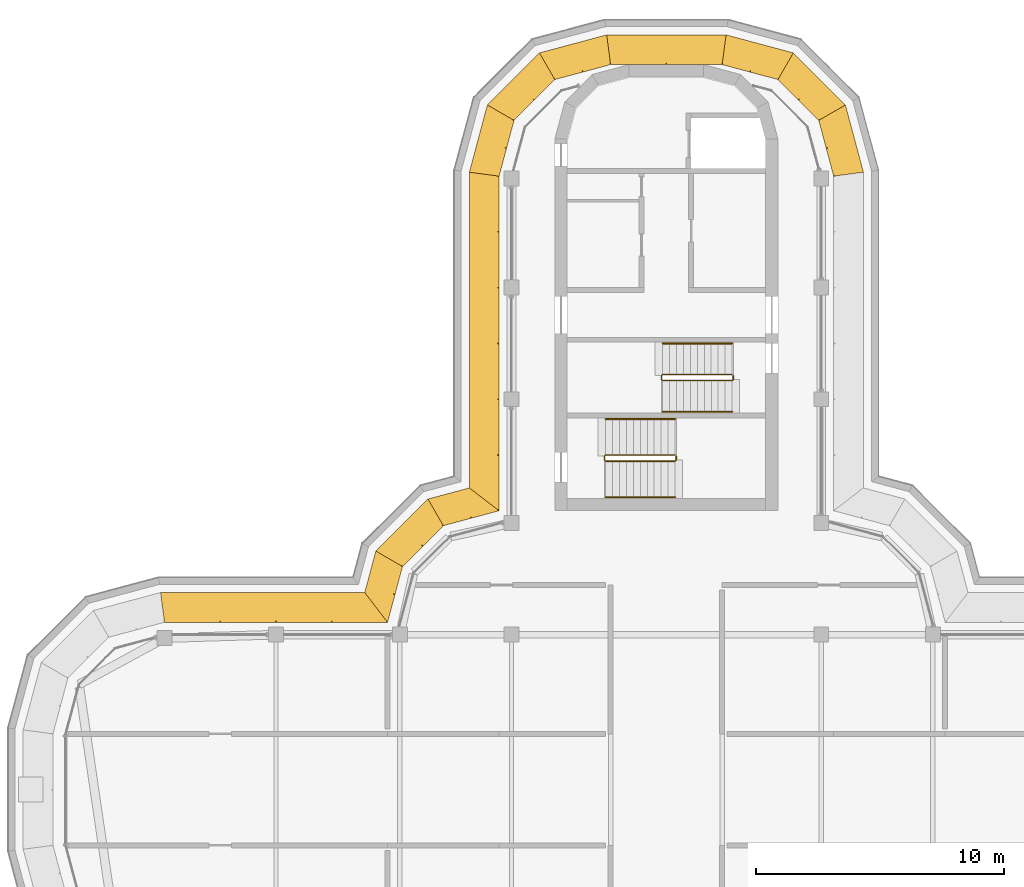
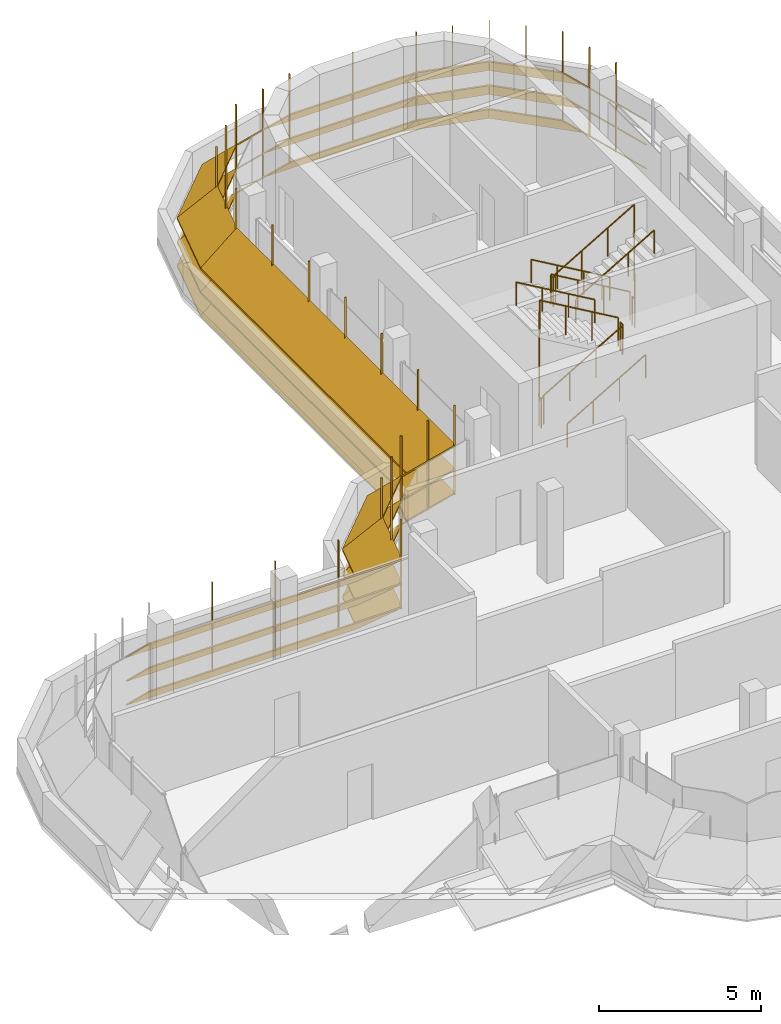
# One storey, part 18 of 19: 6 railings, 6 shading devices.
"""IFC4 building model written with IfcOpenShell, lengths in metres."""

from ifc_helpers import new_model, si_unit, direction, frame, origin, origin_2d, place, context, subcontext, project, spatial, polyline, circle, outline, extrude, faceted_brep, source, transform, mapped, material, type_object, element, save


model = new_model("IFC4")

# Units and contexts
model_context = context("Model", 3, precision=1e-05, world=origin(), true_north=direction((0.0, 1.0)))
body_context = subcontext(model_context, "Body", "Model", "MODEL_VIEW")
ifc_project = project(units=[si_unit("LENGTHUNIT", "METRE"), si_unit("AREAUNIT", "SQUARE_METRE"), si_unit("VOLUMEUNIT", "CUBIC_METRE"), si_unit("PLANEANGLEUNIT", "RADIAN"), si_unit("MASSUNIT", "GRAM", prefix="KILO")], contexts=[model_context])

# Site, building, storey
site_placement = place(None, origin())
site = spatial("IfcSite", under=ifc_project, at=site_placement, CompositionType="ELEMENT")
building_placement = place(site_placement, origin())
building = spatial("IfcBuilding", under=site, at=building_placement, Name="Zarbagh Exchange Tower", CompositionType="ELEMENT")
storey_placement = place(building_placement, frame((0.0, 0.0, 295.199951171875)))
storey = spatial("IfcBuildingStorey", under=building, at=storey_placement, Name="L72", CompositionType="ELEMENT", Elevation=295.199951171875)

# Railings
ifc_material_1 = material(Name="Stainless steel", Category="steel")
railing_type_1 = type_object("IfcRailingType", Name="Stair guard 1100 mm", PredefinedType="GUARDRAIL", material=ifc_material_1)
railing_1_placement = place(storey_placement, frame((2.64990234375, 16.75, 0.16357421875)))
element("IfcRailing", 1, at=railing_1_placement, inside=storey, type_object=railing_type_1, Name="ST1 stair guard 1", PredefinedType="GUARDRAIL", context=body_context, shape_type="SweptSolid", body=[
    extrude(circle(Radius=0.02392578125, at=origin_2d()), frame((0.0, 0.0, 1.076171875), z_axis=(-0.863341702679, 0.0, 0.504619762213), x_axis=(0.0, -1.0, 0.0)), (0.0, 0.0, 1.0), 3.242919921875),
    extrude(circle(Radius=0.02392578125, at=origin_2d()), frame((-2.7998046875, 0.0, 2.71240234375), z_axis=(-0.707106781187, -0.707106781187, 0.0), x_axis=(0.707106781187, -0.707106781187, 0.0)), (0.0, 0.0, 1.0), 0.07080078125),
    extrude(circle(Radius=0.02392578125, at=origin_2d()), frame((-2.849853515625, -0.050048828125, 2.71240234375), z_axis=(0.0, -1.0, 0.0), x_axis=(1.0, 0.0, 0.0)), (0.0, 0.0, 1.0), 0.14990234375),
    extrude(circle(Radius=0.02392578125, at=origin_2d()), frame((-2.849853515625, -0.199951171875, 2.71240234375), z_axis=(0.280808744504, -0.280808744504, 0.917765164963), x_axis=(0.707106781187, 0.707106781187, 0.0)), (0.0, 0.0, 1.0), 0.17822265625),
    extrude(circle(Radius=0.02392578125, at=origin_2d()), frame((-2.7998046875, -0.25, 2.8759765625), z_axis=(0.863341702679, 0.0, 0.504619762213), x_axis=(0.0, 1.0, 0.0)), (0.0, 0.0, 1.0), 3.242919921875),
    extrude(circle(Radius=0.02392578125, at=origin_2d()), frame((0.0, -0.25, 4.5126953125), z_axis=(0.013899389096, 0.013899389096, -0.999806788317), x_axis=(-0.707106781187, 0.707106781187, 0.0)), (0.0, 0.0, 1.0), 3.600830078125),
    extrude(circle(Radius=0.02392578125, at=origin_2d()), frame((0.050048828125, -0.199951171875, 0.91259765625), z_axis=(0.0, 1.0, 0.0), x_axis=(-1.0, 0.0, 0.0)), (0.0, 0.0, 1.0), 0.14990234375),
    extrude(circle(Radius=0.02099609375, at=origin_2d()), origin(), (0.0, 0.0, 1.0), 1.052001953125),
    extrude(circle(Radius=0.02099609375, at=origin_2d()), frame((-0.933349609375, 0.0, 0.54541015625)), (0.0, 0.0, 1.0), 1.052001953125),
    extrude(circle(Radius=0.02099609375, at=origin_2d()), frame((-1.866455078125, 0.0, 1.091064453125)), (0.0, 0.0, 1.0), 1.052001953125),
    extrude(circle(Radius=0.02099609375, at=origin_2d()), frame((-2.7998046875, 0.0, 1.636474609375)), (0.0, 0.0, 1.0), 1.052001953125),
    extrude(circle(Radius=0.02099609375, at=origin_2d()), frame((-2.849853515625, -0.050048828125, 1.636474609375)), (0.0, 0.0, 1.0), 1.052001953125),
    extrude(circle(Radius=0.02099609375, at=origin_2d()), frame((-2.849853515625, -0.199951171875, 1.636474609375)), (0.0, 0.0, 1.0), 1.052001953125),
    extrude(circle(Radius=0.02099609375, at=origin_2d()), frame((-2.7998046875, -0.25, 1.800048828125)), (0.0, 0.0, 1.0), 1.052001953125),
    extrude(circle(Radius=0.02099609375, at=origin_2d()), frame((-1.866455078125, -0.25, 2.345458984375)), (0.0, 0.0, 1.0), 1.052001953125),
    extrude(circle(Radius=0.02099609375, at=origin_2d()), frame((-0.933349609375, -0.25, 2.89111328125)), (0.0, 0.0, 1.0), 1.052001953125),
    extrude(circle(Radius=0.02099609375, at=origin_2d()), frame((0.0, -0.25, 3.4365234375)), (0.0, 0.0, 1.0), 1.052001953125),
    extrude(circle(Radius=0.02099609375, at=origin_2d()), frame((0.012451171875, -0.237548828125, 2.53662109375)), (0.0, 0.0, 1.0), 1.052001953125),
    extrude(circle(Radius=0.02099609375, at=origin_2d()), frame((0.02490234375, -0.22509765625, 1.636474609375)), (0.0, 0.0, 1.0), 1.052001953125),
    extrude(circle(Radius=0.02099609375, at=origin_2d()), frame((0.03759765625, -0.21240234375, 0.736328125)), (0.0, 0.0, 1.0), 1.052001953125),
    extrude(circle(Radius=0.02099609375, at=origin_2d()), frame((0.050048828125, -0.199951171875, -0.16357421875)), (0.0, 0.0, 1.0), 1.052001953125),
    extrude(circle(Radius=0.02099609375, at=origin_2d()), frame((0.050048828125, -0.050048828125, -0.16357421875)), (0.0, 0.0, 1.0), 1.052001953125),
])
railing_2_placement = place(storey_placement, frame((0.35009765625, 13.5, 1.963623046875)))
element("IfcRailing", 2, at=railing_2_placement, inside=storey, type_object=railing_type_1, Name="ST2 stair guard 1", PredefinedType="GUARDRAIL", context=body_context, shape_type="SweptSolid", body=[
    extrude(circle(Radius=0.02392578125, at=origin_2d()), frame((0.0, 0.0, 1.076171875), z_axis=(-0.863360870873, 0.0, 0.504586966384), x_axis=(0.0, -1.0, 0.0)), (0.0, 0.0, 1.0), 3.2431640625),
    extrude(circle(Radius=0.02392578125, at=origin_2d()), frame((-2.800048828125, 0.0, 2.71240234375), z_axis=(-0.013899389096, -0.013899389096, -0.999806788317), x_axis=(0.707106781187, -0.707106781187, 0.0)), (0.0, 0.0, 1.0), 3.600830078125),
    extrude(circle(Radius=0.02392578125, at=origin_2d()), frame((-2.85009765625, -0.050048828125, -0.8876953125), z_axis=(0.0, -1.0, 0.0), x_axis=(1.0, 0.0, 0.0)), (0.0, 0.0, 1.0), 0.14990234375),
    extrude(circle(Radius=0.02392578125, at=origin_2d()), frame((-2.85009765625, -0.199951171875, -0.8876953125), z_axis=(0.280808744504, -0.280808744504, 0.917765164963), x_axis=(0.707106781187, 0.707106781187, 0.0)), (0.0, 0.0, 1.0), 0.17822265625),
    extrude(circle(Radius=0.02392578125, at=origin_2d()), frame((-2.800048828125, -0.25, -0.72412109375), z_axis=(0.863360870873, 0.0, 0.504586966384), x_axis=(0.0, 1.0, 0.0)), (0.0, 0.0, 1.0), 3.2431640625),
    extrude(circle(Radius=0.02392578125, at=origin_2d()), frame((0.0, -0.25, 0.91259765625), z_axis=(0.705375805398, 0.708833529934, 0.0), x_axis=(-0.708833529934, 0.705375805398, 0.0)), (0.0, 0.0, 1.0), 0.070556640625),
    extrude(circle(Radius=0.02392578125, at=origin_2d()), frame((0.0498046875, -0.199951171875, 0.91259765625), z_axis=(0.0, 1.0, 0.0), x_axis=(-1.0, 0.0, 0.0)), (0.0, 0.0, 1.0), 0.14990234375),
    extrude(circle(Radius=0.02099609375, at=origin_2d()), origin(), (0.0, 0.0, 1.0), 1.052001953125),
    extrude(circle(Radius=0.02099609375, at=origin_2d()), frame((-0.933349609375, 0.0, 0.54541015625)), (0.0, 0.0, 1.0), 1.052001953125),
    extrude(circle(Radius=0.02099609375, at=origin_2d()), frame((-1.86669921875, 0.0, 1.091064453125)), (0.0, 0.0, 1.0), 1.052001953125),
    extrude(circle(Radius=0.02099609375, at=origin_2d()), frame((-2.800048828125, 0.0, 1.636474609375)), (0.0, 0.0, 1.0), 1.052001953125),
    extrude(circle(Radius=0.02099609375, at=origin_2d()), frame((-2.8125, -0.012451171875, 0.736328125)), (0.0, 0.0, 1.0), 1.052001953125),
    extrude(circle(Radius=0.02099609375, at=origin_2d()), frame((-2.8251953125, -0.02490234375, -0.16357421875)), (0.0, 0.0, 1.0), 1.052001953125),
    extrude(circle(Radius=0.02099609375, at=origin_2d()), frame((-2.837646484375, -0.03759765625, -1.0634765625)), (0.0, 0.0, 1.0), 1.052001953125),
    extrude(circle(Radius=0.02099609375, at=origin_2d()), frame((-2.85009765625, -0.050048828125, -1.963623046875)), (0.0, 0.0, 1.0), 1.052001953125),
    extrude(circle(Radius=0.02099609375, at=origin_2d()), frame((-2.85009765625, -0.199951171875, -1.963623046875)), (0.0, 0.0, 1.0), 1.052001953125),
    extrude(circle(Radius=0.02099609375, at=origin_2d()), frame((-2.800048828125, -0.25, -1.800048828125)), (0.0, 0.0, 1.0), 1.052001953125),
    extrude(circle(Radius=0.02099609375, at=origin_2d()), frame((-1.86669921875, -0.25, -1.254638671875)), (0.0, 0.0, 1.0), 1.052001953125),
    extrude(circle(Radius=0.02099609375, at=origin_2d()), frame((-0.933349609375, -0.25, -0.708984375)), (0.0, 0.0, 1.0), 1.052001953125),
    extrude(circle(Radius=0.02099609375, at=origin_2d()), frame((0.0, -0.25, -0.16357421875)), (0.0, 0.0, 1.0), 1.052001953125),
    extrude(circle(Radius=0.02099609375, at=origin_2d()), frame((0.0498046875, -0.199951171875, -0.16357421875)), (0.0, 0.0, 1.0), 1.052001953125),
    extrude(circle(Radius=0.02099609375, at=origin_2d()), frame((0.0498046875, -0.050048828125, -0.16357421875)), (0.0, 0.0, 1.0), 1.052001953125),
])
railing_type_2 = type_object("IfcRailingType", Name="Stair handrail 900 mm", PredefinedType="HANDRAIL", material=ifc_material_1)
railing_3_placement = place(storey_placement, frame((2.64990234375, 18.0, 0.16357421875)))
element("IfcRailing", 3, at=railing_3_placement, inside=storey, type_object=railing_type_2, Name="ST1 stair handrail 1", PredefinedType="HANDRAIL", context=body_context, shape_type="SweptSolid", body=[
    extrude(circle(Radius=0.02392578125, at=origin_2d()), frame((0.0, 0.0, 0.8759765625), z_axis=(-0.863341702679, 0.0, 0.504619762213), x_axis=(0.0, -1.0, 0.0)), (0.0, 0.0, 1.0), 3.242919921875),
    extrude(circle(Radius=0.02099609375, at=origin_2d()), origin(), (0.0, 0.0, 1.0), 0.851806640625),
    extrude(circle(Radius=0.02099609375, at=origin_2d()), frame((-0.933349609375, 0.0, 0.54541015625)), (0.0, 0.0, 1.0), 0.851806640625),
    extrude(circle(Radius=0.02099609375, at=origin_2d()), frame((-1.866455078125, 0.0, 1.091064453125)), (0.0, 0.0, 1.0), 0.851806640625),
    extrude(circle(Radius=0.02099609375, at=origin_2d()), frame((-2.7998046875, 0.0, 1.636474609375)), (0.0, 0.0, 1.0), 0.851806640625),
])
railing_4_placement = place(storey_placement, frame((-0.14990234375, 15.25, 1.963623046875)))
element("IfcRailing", 4, at=railing_4_placement, inside=storey, type_object=railing_type_2, Name="ST1 stair handrail 2", PredefinedType="HANDRAIL", context=body_context, shape_type="SweptSolid", body=[
    extrude(circle(Radius=0.02392578125, at=origin_2d()), frame((0.0, 0.0, 0.8759765625), z_axis=(0.863341702679, 0.0, 0.504619762213), x_axis=(0.0, 1.0, 0.0)), (0.0, 0.0, 1.0), 3.242919921875),
    extrude(circle(Radius=0.02099609375, at=origin_2d()), origin(), (0.0, 0.0, 1.0), 0.851806640625),
    extrude(circle(Radius=0.02099609375, at=origin_2d()), frame((0.933349609375, 0.0, 0.54541015625)), (0.0, 0.0, 1.0), 0.851806640625),
    extrude(circle(Radius=0.02099609375, at=origin_2d()), frame((1.866455078125, 0.0, 1.091064453125)), (0.0, 0.0, 1.0), 0.851806640625),
    extrude(circle(Radius=0.02099609375, at=origin_2d()), frame((2.7998046875, 0.0, 1.636474609375)), (0.0, 0.0, 1.0), 0.851806640625),
])
railing_5_placement = place(storey_placement, frame((-2.449951171875, 11.800048828125, 0.16357421875)))
element("IfcRailing", 5, at=railing_5_placement, inside=storey, type_object=railing_type_2, Name="ST2 stair handrail 1", PredefinedType="HANDRAIL", context=body_context, shape_type="SweptSolid", body=[
    extrude(circle(Radius=0.02392578125, at=origin_2d()), frame((0.0, 0.0, 0.8759765625), z_axis=(0.863360870873, 0.0, 0.504586966384), x_axis=(0.0, 1.0, 0.0)), (0.0, 0.0, 1.0), 3.2431640625),
    extrude(circle(Radius=0.02099609375, at=origin_2d()), origin(), (0.0, 0.0, 1.0), 0.851806640625),
    extrude(circle(Radius=0.02099609375, at=origin_2d()), frame((0.933349609375, 0.0, 0.54541015625)), (0.0, 0.0, 1.0), 0.851806640625),
    extrude(circle(Radius=0.02099609375, at=origin_2d()), frame((1.86669921875, 0.0, 1.091064453125)), (0.0, 0.0, 1.0), 0.851806640625),
    extrude(circle(Radius=0.02099609375, at=origin_2d()), frame((2.800048828125, 0.0, 1.636474609375)), (0.0, 0.0, 1.0), 0.851806640625),
])
railing_6_placement = place(storey_placement, frame((0.35009765625, 14.949951171875, 1.963623046875)))
element("IfcRailing", 6, at=railing_6_placement, inside=storey, type_object=railing_type_2, Name="ST2 stair handrail 2", PredefinedType="HANDRAIL", context=body_context, shape_type="SweptSolid", body=[
    extrude(circle(Radius=0.02392578125, at=origin_2d()), frame((0.0, 0.0, 0.8759765625), z_axis=(-0.863360870873, 0.0, 0.504586966384), x_axis=(0.0, -1.0, 0.0)), (0.0, 0.0, 1.0), 3.2431640625),
    extrude(circle(Radius=0.02099609375, at=origin_2d()), origin(), (0.0, 0.0, 1.0), 0.851806640625),
    extrude(circle(Radius=0.02099609375, at=origin_2d()), frame((-0.933349609375, 0.0, 0.54541015625)), (0.0, 0.0, 1.0), 0.851806640625),
    extrude(circle(Radius=0.02099609375, at=origin_2d()), frame((-1.86669921875, 0.0, 1.091064453125)), (0.0, 0.0, 1.0), 0.851806640625),
    extrude(circle(Radius=0.02099609375, at=origin_2d()), frame((-2.800048828125, 0.0, 1.636474609375)), (0.0, 0.0, 1.0), 0.851806640625),
])

# Shading devices
ifc_material_2 = material(Name="Anodised aluminium blades and brackets", Category="aluminium")
shading_device_type = type_object("IfcShadingDeviceType", Name="SUNSHADE louvre band, 45 degree blades", PredefinedType="JALOUSIE", material=ifc_material_2)
shared_shape_1 = source(origin(), body_context, "Body", "Brep", [
    faceted_brep([(0.0, 0.0, 0.0), (0.0, 0.0, -0.056640625), (-0.157958984375, -1.199951171875, -1.256591796875), (-0.157958984375, -1.199951171875, -1.199951171875), (2.65087890625, -1.199951171875, -1.199951171875), (2.65087890625, -1.199951171875, -1.256591796875), (2.329345703125, 0.0, -0.056640625), (2.329345703125, 0.0, 0.0)], [[[0, 1, 2, 3]], [[4, 5, 6, 7]], [[0, 7, 6, 1]], [[1, 6, 5, 2]], [[2, 5, 4, 3]], [[3, 4, 7, 0]]]),
])
shared_shape_2 = source(origin(), body_context, "Body", "Brep", [
    faceted_brep([(0.0, 0.0, 0.0), (0.0, 0.0, -0.056640625), (-0.321533203125, -1.199951171875, -1.256591796875), (-0.321533203125, -1.199951171875, -1.199951171875), (2.65087890625, -1.199951171875, -1.199951171875), (2.65087890625, -1.199951171875, -1.256591796875), (2.329345703125, 0.0, -0.056640625), (2.329345703125, 0.0, 0.0)], [[[0, 1, 2, 3]], [[4, 5, 6, 7]], [[0, 7, 6, 1]], [[1, 6, 5, 2]], [[2, 5, 4, 3]], [[3, 4, 7, 0]]]),
])
shared_shape_3 = source(origin(), body_context, "Body", "Brep", [
    faceted_brep([(0.0, 0.0, 0.0), (0.0, 0.0, -0.056640625), (-0.321533203125, -1.199951171875, -1.256591796875), (-0.321533203125, -1.199951171875, -1.199951171875), (2.4873046875, -1.199951171875, -1.199951171875), (2.4873046875, -1.199951171875, -1.256591796875), (2.329345703125, 0.0, -0.056640625), (2.329345703125, 0.0, 0.0)], [[[0, 1, 2, 3]], [[4, 5, 6, 7]], [[0, 7, 6, 1]], [[1, 6, 5, 2]], [[2, 5, 4, 3]], [[3, 4, 7, 0]]]),
])
shared_shape_4 = source(origin(), body_context, "Body", "SweptSolid", [
    extrude(outline(polyline([(0.0, -0.012451171875), (0.06005859375, -0.012451171875), (0.06005859375, 0.012451171875), (0.0, 0.012451171875), (0.0, -0.012451171875)])), origin(), (0.0, 0.0, 1.0), 3.366455078125),
])
placement = place(storey_placement, origin())
element("IfcShadingDevice", 7, at=placement, inside=storey, type_object=shading_device_type, Name="SS46 sunshade band", PredefinedType="JALOUSIE", context=body_context, shape_type="MappedRepresentation", body=[
    mapped(shared_shape_1, transform((6.75, 24.75, 2.10009765625), x_axis=(-0.258824779902, 0.965924289636, 0.0), y_axis=(-0.965924289636, -0.258824779902, 0.0), z_axis=(0.0, 0.0, 1.0))),
    mapped(shared_shape_1, transform((6.75, 24.75, 1.199951171875), x_axis=(-0.258824779902, 0.965924289636, 0.0), y_axis=(-0.965924289636, -0.258824779902, 0.0), z_axis=(0.0, 0.0, 1.0))),
    mapped(shared_shape_1, transform((6.75, 24.75, 0.300048828125), x_axis=(-0.258824779902, 0.965924289636, 0.0), y_axis=(-0.965924289636, -0.258824779902, 0.0), z_axis=(0.0, 0.0, 1.0))),
    mapped(shared_shape_2, transform((6.147216796875, 27.0, 2.10009765625), x_axis=(-0.707106781187, 0.707106781187, 0.0), y_axis=(-0.707106781187, -0.707106781187, 0.0), z_axis=(0.0, 0.0, 1.0))),
    mapped(shared_shape_2, transform((6.147216796875, 27.0, 1.199951171875), x_axis=(-0.707106781187, 0.707106781187, 0.0), y_axis=(-0.707106781187, -0.707106781187, 0.0), z_axis=(0.0, 0.0, 1.0))),
    mapped(shared_shape_2, transform((6.147216796875, 27.0, 0.300048828125), x_axis=(-0.707106781187, 0.707106781187, 0.0), y_axis=(-0.707106781187, -0.707106781187, 0.0), z_axis=(0.0, 0.0, 1.0))),
    mapped(shared_shape_3, transform((4.5, 28.647216796875, 2.10009765625), x_axis=(-0.965924289636, 0.258824779902, 0.0), y_axis=(-0.258824779902, -0.965924289636, 0.0), z_axis=(0.0, 0.0, 1.0))),
    mapped(shared_shape_3, transform((4.5, 28.647216796875, 1.199951171875), x_axis=(-0.965924289636, 0.258824779902, 0.0), y_axis=(-0.258824779902, -0.965924289636, 0.0), z_axis=(0.0, 0.0, 1.0))),
    mapped(shared_shape_3, transform((4.5, 28.647216796875, 0.300048828125), x_axis=(-0.965924289636, 0.258824779902, 0.0), y_axis=(-0.258824779902, -0.965924289636, 0.0), z_axis=(0.0, 0.0, 1.0))),
    mapped(shared_shape_4, transform((6.75, 24.75, 0.21337890625), x_axis=(0.991444457092, 0.130529263012, 0.0), y_axis=(-0.130529263012, 0.991444457092, 0.0), z_axis=(0.0, 0.0, 1.0))),
    mapped(shared_shape_4, transform((6.448486328125, 25.875, 0.21337890625), x_axis=(0.96592421511, 0.258825058029, 0.0), y_axis=(-0.258825058029, 0.96592421511, 0.0), z_axis=(0.0, 0.0, 1.0))),
    mapped(shared_shape_4, transform((6.147216796875, 27.0, 0.21337890625), x_axis=(0.866023812018, 0.50000275701, 0.0), y_axis=(-0.50000275701, 0.866023812018, 0.0), z_axis=(0.0, 0.0, 1.0))),
    mapped(shared_shape_4, transform((5.323486328125, 27.823486328125, 0.21337890625), x_axis=(0.707106781187, 0.707106781187, 0.0), y_axis=(-0.707106781187, 0.707106781187, 0.0), z_axis=(0.0, 0.0, 1.0))),
    mapped(shared_shape_4, transform((4.5, 28.647216796875, 0.21337890625), x_axis=(0.50000275701, 0.866023812018, 0.0), y_axis=(-0.866023812018, 0.50000275701, 0.0), z_axis=(0.0, 0.0, 1.0))),
    mapped(shared_shape_4, transform((3.375, 28.948486328125, 0.21337890625), x_axis=(0.258825058029, 0.96592421511, 0.0), y_axis=(-0.96592421511, 0.258825058029, 0.0), z_axis=(0.0, 0.0, 1.0))),
])
element("IfcShadingDevice", 8, at=placement, inside=storey, type_object=shading_device_type, Name="SS48 sunshade band", PredefinedType="JALOUSIE", context=body_context, shape_type="MappedRepresentation", body=[
    mapped(shared_shape_1, transform((-2.25, 29.25, 2.10009765625), x_axis=(-0.965924289636, -0.258824779902, 0.0), y_axis=(0.258824779902, -0.965924289636, 0.0), z_axis=(0.0, 0.0, 1.0))),
    mapped(shared_shape_1, transform((-2.25, 29.25, 1.199951171875), x_axis=(-0.965924289636, -0.258824779902, 0.0), y_axis=(0.258824779902, -0.965924289636, 0.0), z_axis=(0.0, 0.0, 1.0))),
    mapped(shared_shape_1, transform((-2.25, 29.25, 0.300048828125), x_axis=(-0.965924289636, -0.258824779902, 0.0), y_axis=(0.258824779902, -0.965924289636, 0.0), z_axis=(0.0, 0.0, 1.0))),
    mapped(shared_shape_2, transform((-4.5, 28.647216796875, 2.10009765625), x_axis=(-0.707106781187, -0.707106781187, 0.0), y_axis=(0.707106781187, -0.707106781187, 0.0), z_axis=(0.0, 0.0, 1.0))),
    mapped(shared_shape_2, transform((-4.5, 28.647216796875, 1.199951171875), x_axis=(-0.707106781187, -0.707106781187, 0.0), y_axis=(0.707106781187, -0.707106781187, 0.0), z_axis=(0.0, 0.0, 1.0))),
    mapped(shared_shape_2, transform((-4.5, 28.647216796875, 0.300048828125), x_axis=(-0.707106781187, -0.707106781187, 0.0), y_axis=(0.707106781187, -0.707106781187, 0.0), z_axis=(0.0, 0.0, 1.0))),
    mapped(shared_shape_3, transform((-6.147216796875, 27.0, 2.10009765625), x_axis=(-0.258824779902, -0.965924289636, 0.0), y_axis=(0.965924289636, -0.258824779902, 0.0), z_axis=(0.0, 0.0, 1.0))),
    mapped(shared_shape_3, transform((-6.147216796875, 27.0, 1.199951171875), x_axis=(-0.258824779902, -0.965924289636, 0.0), y_axis=(0.965924289636, -0.258824779902, 0.0), z_axis=(0.0, 0.0, 1.0))),
    mapped(shared_shape_3, transform((-6.147216796875, 27.0, 0.300048828125), x_axis=(-0.258824779902, -0.965924289636, 0.0), y_axis=(0.965924289636, -0.258824779902, 0.0), z_axis=(0.0, 0.0, 1.0))),
    mapped(shared_shape_4, transform((-2.25, 29.25, 0.21337890625), x_axis=(-0.130529263012, 0.991444457092, 0.0), y_axis=(-0.991444457092, -0.130529263012, 0.0), z_axis=(0.0, 0.0, 1.0))),
    mapped(shared_shape_4, transform((-3.375, 28.948486328125, 0.21337890625), x_axis=(-0.258825058029, 0.96592421511, 0.0), y_axis=(-0.96592421511, -0.258825058029, 0.0), z_axis=(0.0, 0.0, 1.0))),
    mapped(shared_shape_4, transform((-4.5, 28.647216796875, 0.21337890625), x_axis=(-0.50000275701, 0.866023812018, 0.0), y_axis=(-0.866023812018, -0.50000275701, 0.0), z_axis=(0.0, 0.0, 1.0))),
    mapped(shared_shape_4, transform((-5.323486328125, 27.823486328125, 0.21337890625), x_axis=(-0.707106781187, 0.707106781187, 0.0), y_axis=(-0.707106781187, -0.707106781187, 0.0), z_axis=(0.0, 0.0, 1.0))),
    mapped(shared_shape_4, transform((-6.147216796875, 27.0, 0.21337890625), x_axis=(-0.866023812018, 0.50000275701, 0.0), y_axis=(-0.50000275701, -0.866023812018, 0.0), z_axis=(0.0, 0.0, 1.0))),
    mapped(shared_shape_4, transform((-6.448486328125, 25.875, 0.21337890625), x_axis=(-0.96592421511, 0.258825058029, 0.0), y_axis=(-0.258825058029, -0.96592421511, 0.0), z_axis=(0.0, 0.0, 1.0))),
])
shared_shape_5 = source(origin(), body_context, "Body", "Brep", [
    faceted_brep([(0.0, 0.0, 0.0), (0.0, 0.0, -0.056640625), (0.9208984375, -1.199951171875, -1.256591796875), (0.9208984375, -1.199951171875, -1.199951171875), (2.65087890625, -1.199951171875, -1.199951171875), (2.65087890625, -1.199951171875, -1.256591796875), (2.329345703125, 0.0, -0.056640625), (2.329345703125, 0.0, 0.0)], [[[0, 1, 2, 3]], [[4, 5, 6, 7]], [[0, 7, 6, 1]], [[1, 6, 5, 2]], [[2, 5, 4, 3]], [[3, 4, 7, 0]]]),
])
shared_shape_6 = source(origin(), body_context, "Body", "Brep", [
    faceted_brep([(0.0, 0.0, 0.0), (0.0, 0.0, -0.056640625), (-0.321533203125, -1.199951171875, -1.256591796875), (-0.321533203125, -1.199951171875, -1.199951171875), (1.40869140625, -1.199951171875, -1.199951171875), (1.40869140625, -1.199951171875, -1.256591796875), (2.329345703125, 0.0, -0.056640625), (2.329345703125, 0.0, 0.0)], [[[0, 1, 2, 3]], [[4, 5, 6, 7]], [[0, 7, 6, 1]], [[1, 6, 5, 2]], [[2, 5, 4, 3]], [[3, 4, 7, 0]]]),
])
element("IfcShadingDevice", 9, at=placement, inside=storey, type_object=shading_device_type, Name="SS15 sunshade band", PredefinedType="JALOUSIE", context=body_context, shape_type="MappedRepresentation", body=[
    mapped(shared_shape_5, transform((-6.75, 11.25, 2.10009765625), x_axis=(-0.965924289636, -0.258824779902, 0.0), y_axis=(0.258824779902, -0.965924289636, 0.0), z_axis=(0.0, 0.0, 1.0))),
    mapped(shared_shape_5, transform((-6.75, 11.25, 1.199951171875), x_axis=(-0.965924289636, -0.258824779902, 0.0), y_axis=(0.258824779902, -0.965924289636, 0.0), z_axis=(0.0, 0.0, 1.0))),
    mapped(shared_shape_5, transform((-6.75, 11.25, 0.300048828125), x_axis=(-0.965924289636, -0.258824779902, 0.0), y_axis=(0.258824779902, -0.965924289636, 0.0), z_axis=(0.0, 0.0, 1.0))),
    mapped(shared_shape_2, transform((-9.0, 10.647216796875, 2.10009765625), x_axis=(-0.707106781187, -0.707106781187, 0.0), y_axis=(0.707106781187, -0.707106781187, 0.0), z_axis=(0.0, 0.0, 1.0))),
    mapped(shared_shape_2, transform((-9.0, 10.647216796875, 1.199951171875), x_axis=(-0.707106781187, -0.707106781187, 0.0), y_axis=(0.707106781187, -0.707106781187, 0.0), z_axis=(0.0, 0.0, 1.0))),
    mapped(shared_shape_2, transform((-9.0, 10.647216796875, 0.300048828125), x_axis=(-0.707106781187, -0.707106781187, 0.0), y_axis=(0.707106781187, -0.707106781187, 0.0), z_axis=(0.0, 0.0, 1.0))),
    mapped(shared_shape_6, transform((-10.647216796875, 9.0, 2.10009765625), x_axis=(-0.258824779902, -0.965924289636, 0.0), y_axis=(0.965924289636, -0.258824779902, 0.0), z_axis=(0.0, 0.0, 1.0))),
    mapped(shared_shape_6, transform((-10.647216796875, 9.0, 1.199951171875), x_axis=(-0.258824779902, -0.965924289636, 0.0), y_axis=(0.965924289636, -0.258824779902, 0.0), z_axis=(0.0, 0.0, 1.0))),
    mapped(shared_shape_6, transform((-10.647216796875, 9.0, 0.300048828125), x_axis=(-0.258824779902, -0.965924289636, 0.0), y_axis=(0.965924289636, -0.258824779902, 0.0), z_axis=(0.0, 0.0, 1.0))),
    mapped(shared_shape_4, transform((-6.75, 11.25, 0.21337890625), x_axis=(-0.793355287, 0.608758892, 0.0), y_axis=(-0.608758892, -0.793355287, 0.0), z_axis=(0.0, 0.0, 1.0))),
    mapped(shared_shape_4, transform((-7.875, 10.948486328125, 0.21337890625), x_axis=(-0.258825058029, 0.96592421511, 0.0), y_axis=(-0.96592421511, -0.258825058029, 0.0), z_axis=(0.0, 0.0, 1.0))),
    mapped(shared_shape_4, transform((-9.0, 10.647216796875, 0.21337890625), x_axis=(-0.50000275701, 0.866023812018, 0.0), y_axis=(-0.866023812018, -0.50000275701, 0.0), z_axis=(0.0, 0.0, 1.0))),
    mapped(shared_shape_4, transform((-9.823486328125, 9.823486328125, 0.21337890625), x_axis=(-0.707106781187, 0.707106781187, 0.0), y_axis=(-0.707106781187, -0.707106781187, 0.0), z_axis=(0.0, 0.0, 1.0))),
    mapped(shared_shape_4, transform((-10.647216796875, 9.0, 0.21337890625), x_axis=(-0.866023812018, 0.50000275701, 0.0), y_axis=(-0.50000275701, -0.866023812018, 0.0), z_axis=(0.0, 0.0, 1.0))),
    mapped(shared_shape_4, transform((-10.948486328125, 7.875, 0.21337890625), x_axis=(-0.96592421511, 0.258825058029, 0.0), y_axis=(-0.258825058029, -0.96592421511, 0.0), z_axis=(0.0, 0.0, 1.0))),
])
shared_shape_7 = source(origin(), body_context, "Body", "Brep", [
    faceted_brep([(0.0, 0.0, 0.0), (0.0, 0.0, -0.056640625), (-0.157958984375, -1.199951171875, -1.256591796875), (-0.157958984375, -1.199951171875, -1.199951171875), (4.657958984375, -1.199951171875, -1.199951171875), (4.657958984375, -1.199951171875, -1.256591796875), (4.5, 0.0, -0.056640625), (4.5, 0.0, 0.0)], [[[0, 1, 2, 3]], [[4, 5, 6, 7]], [[0, 7, 6, 1]], [[1, 6, 5, 2]], [[2, 5, 4, 3]], [[3, 4, 7, 0]]]),
])
element("IfcShadingDevice", 10, at=placement, inside=storey, type_object=shading_device_type, Name="SS47 sunshade band", PredefinedType="JALOUSIE", context=body_context, shape_type="MappedRepresentation", body=[
    mapped(shared_shape_7, transform((2.25, 29.25, 2.10009765625), x_axis=(-1.0, 0.0, 0.0), y_axis=(0.0, -1.0, 0.0), z_axis=(0.0, 0.0, 1.0))),
    mapped(shared_shape_7, transform((2.25, 29.25, 1.199951171875), x_axis=(-1.0, 0.0, 0.0), y_axis=(0.0, -1.0, 0.0), z_axis=(0.0, 0.0, 1.0))),
    mapped(shared_shape_7, transform((2.25, 29.25, 0.300048828125), x_axis=(-1.0, 0.0, 0.0), y_axis=(0.0, -1.0, 0.0), z_axis=(0.0, 0.0, 1.0))),
    mapped(shared_shape_4, transform((2.25, 29.25, 0.21337890625), x_axis=(0.130529263012, 0.991444457092, 0.0), y_axis=(-0.991444457092, 0.130529263012, 0.0), z_axis=(0.0, 0.0, 1.0))),
    mapped(shared_shape_4, transform((0.0, 29.25, 0.21337890625), x_axis=(0.0, 1.0, 0.0), y_axis=(-1.0, 0.0, 0.0), z_axis=(0.0, 0.0, 1.0))),
])
shared_shape_8 = source(origin(), body_context, "Body", "Brep", [
    faceted_brep([(0.0, 0.0, 0.0), (0.0, 0.0, -0.056640625), (-0.157958984375, -1.199951171875, -1.256591796875), (-0.157958984375, -1.199951171875, -1.199951171875), (12.5791015625, -1.199951171875, -1.199951171875), (12.5791015625, -1.199951171875, -1.256591796875), (13.5, 0.0, -0.056640625), (13.5, 0.0, 0.0)], [[[0, 1, 2, 3]], [[4, 5, 6, 7]], [[0, 7, 6, 1]], [[1, 6, 5, 2]], [[2, 5, 4, 3]], [[3, 4, 7, 0]]]),
])
element("IfcShadingDevice", 11, at=placement, inside=storey, type_object=shading_device_type, Name="SS49 sunshade band", PredefinedType="JALOUSIE", context=body_context, shape_type="MappedRepresentation", body=[
    mapped(shared_shape_8, transform((-6.75, 24.75, 2.10009765625), x_axis=(0.0, -1.0, 0.0), y_axis=(1.0, 0.0, 0.0), z_axis=(0.0, 0.0, 1.0))),
    mapped(shared_shape_8, transform((-6.75, 24.75, 1.199951171875), x_axis=(0.0, -1.0, 0.0), y_axis=(1.0, 0.0, 0.0), z_axis=(0.0, 0.0, 1.0))),
    mapped(shared_shape_8, transform((-6.75, 24.75, 0.300048828125), x_axis=(0.0, -1.0, 0.0), y_axis=(1.0, 0.0, 0.0), z_axis=(0.0, 0.0, 1.0))),
    mapped(shared_shape_4, transform((-6.75, 24.75, 0.21337890625), x_axis=(-0.991444457092, 0.130529263012, 0.0), y_axis=(-0.130529263012, -0.991444457092, 0.0), z_axis=(0.0, 0.0, 1.0))),
    mapped(shared_shape_4, transform((-6.75, 22.5, 0.21337890625), x_axis=(-1.0, 0.0, 0.0), y_axis=(0.0, -1.0, 0.0), z_axis=(0.0, 0.0, 1.0))),
    mapped(shared_shape_4, transform((-6.75, 20.25, 0.21337890625), x_axis=(-1.0, 0.0, 0.0), y_axis=(0.0, -1.0, 0.0), z_axis=(0.0, 0.0, 1.0))),
    mapped(shared_shape_4, transform((-6.75, 18.0, 0.21337890625), x_axis=(-1.0, 0.0, 0.0), y_axis=(0.0, -1.0, 0.0), z_axis=(0.0, 0.0, 1.0))),
    mapped(shared_shape_4, transform((-6.75, 15.75, 0.21337890625), x_axis=(-1.0, 0.0, 0.0), y_axis=(0.0, -1.0, 0.0), z_axis=(0.0, 0.0, 1.0))),
    mapped(shared_shape_4, transform((-6.75, 13.5, 0.21337890625), x_axis=(-1.0, 0.0, 0.0), y_axis=(0.0, -1.0, 0.0), z_axis=(0.0, 0.0, 1.0))),
])
shared_shape_9 = source(origin(), body_context, "Body", "Brep", [
    faceted_brep([(0.0, 0.0, 0.0), (0.0, 0.0, -0.056640625), (0.9208984375, -1.199951171875, -1.256591796875), (0.9208984375, -1.199951171875, -1.199951171875), (9.157958984375, -1.199951171875, -1.199951171875), (9.157958984375, -1.199951171875, -1.256591796875), (9.0, 0.0, -0.056640625), (9.0, 0.0, 0.0)], [[[0, 1, 2, 3]], [[4, 5, 6, 7]], [[0, 7, 6, 1]], [[1, 6, 5, 2]], [[2, 5, 4, 3]], [[3, 4, 7, 0]]]),
])
element("IfcShadingDevice", 12, at=placement, inside=storey, type_object=shading_device_type, Name="SS62 sunshade band", PredefinedType="JALOUSIE", context=body_context, shape_type="MappedRepresentation", body=[
    mapped(shared_shape_9, transform((-11.25, 6.75, 2.10009765625), x_axis=(-1.0, 0.0, 0.0), y_axis=(0.0, -1.0, 0.0), z_axis=(0.0, 0.0, 1.0))),
    mapped(shared_shape_9, transform((-11.25, 6.75, 1.199951171875), x_axis=(-1.0, 0.0, 0.0), y_axis=(0.0, -1.0, 0.0), z_axis=(0.0, 0.0, 1.0))),
    mapped(shared_shape_9, transform((-11.25, 6.75, 0.300048828125), x_axis=(-1.0, 0.0, 0.0), y_axis=(0.0, -1.0, 0.0), z_axis=(0.0, 0.0, 1.0))),
    mapped(shared_shape_4, transform((-11.25, 6.75, 0.21337890625), x_axis=(-0.608758892, 0.793355287, 0.0), y_axis=(-0.793355287, -0.608758892, 0.0), z_axis=(0.0, 0.0, 1.0))),
    mapped(shared_shape_4, transform((-13.5, 6.75, 0.21337890625), x_axis=(0.0, 1.0, 0.0), y_axis=(-1.0, 0.0, 0.0), z_axis=(0.0, 0.0, 1.0))),
    mapped(shared_shape_4, transform((-15.75, 6.75, 0.21337890625), x_axis=(0.0, 1.0, 0.0), y_axis=(-1.0, 0.0, 0.0), z_axis=(0.0, 0.0, 1.0))),
    mapped(shared_shape_4, transform((-18.0, 6.75, 0.21337890625), x_axis=(0.0, 1.0, 0.0), y_axis=(-1.0, 0.0, 0.0), z_axis=(0.0, 0.0, 1.0))),
])

save(model, "model.ifc")
